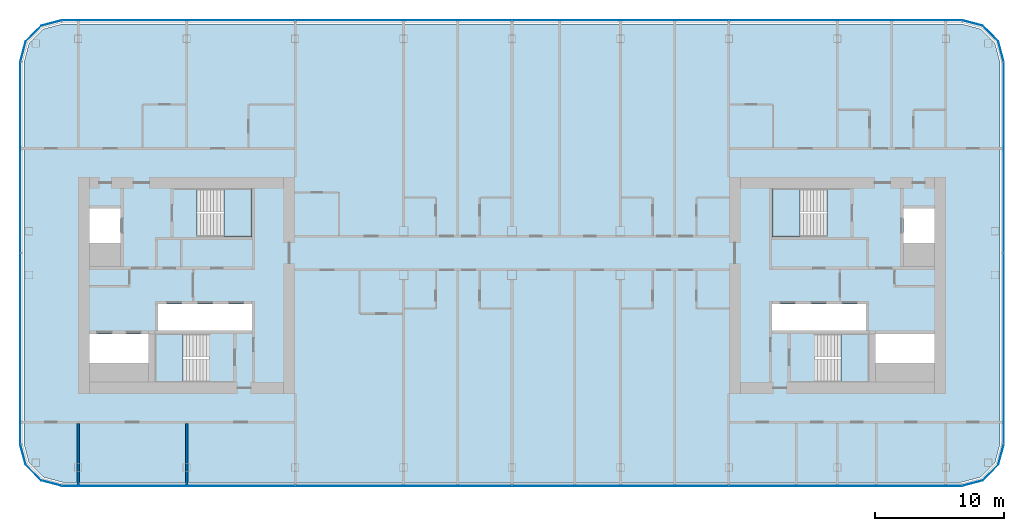
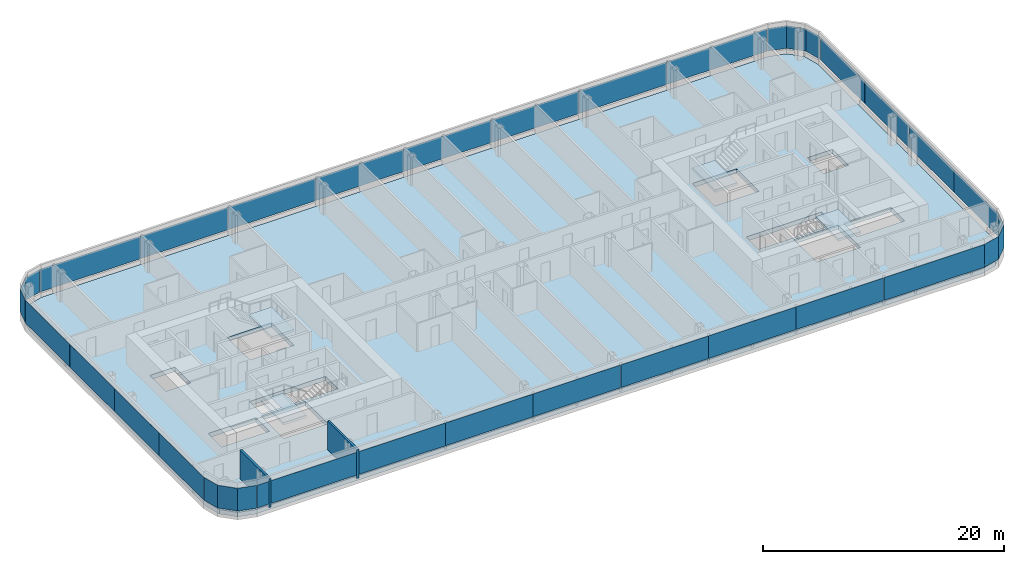
# One storey, part 12 of 26: 28 plates, 5 slabs, 2 walls, 12 elements without a shape of their own.
"""IFC4 building model written with IfcOpenShell, lengths in metres."""

import ifcopenshell
import ifcopenshell.guid

model = None  # the IFC model being written
_history = None  # IfcOwnerHistory: only IFC2X3 demands one
_inside = {}  # id of a spatial element -> (the spatial element, [elements in it])
_under = {}  # id of a project, library or spatial element -> (it, [spatial elements below it])
_declared = {}  # id of a project -> (the project, [libraries it declares])
_typed = {}  # id of a type object -> (the type object, [elements of that type])
_made_of = {}  # id of a material, layer set ... -> (it, [elements and type objects made of it])


def new_model(schema):
    """Start an empty IFC model of exactly this schema.

    Asked for "IFC4X3", IfcOpenShell would pick the latest addendum, in which some entities
    have other attributes; the version numbers below select the first issue.
    IFC2X3 requires an IfcOwnerHistory on every rooted entity: one is made here for all.
    """
    global model, _history
    if schema == "IFC4X3":
        model = ifcopenshell.file(schema_version=(4, 3, 0, 0))
    else:
        model = ifcopenshell.file(schema=schema)
    _inside.clear()
    _under.clear()
    _declared.clear()
    _typed.clear()
    _made_of.clear()
    _history = None
    if model.schema == "IFC2X3":
        org = make("IfcOrganization", Name="unknown")
        user = make(
            "IfcPersonAndOrganization",
            ThePerson=make("IfcPerson", FamilyName="unknown"),
            TheOrganization=org,
        )
        app = make(
            "IfcApplication",
            ApplicationDeveloper=org,
            Version="unknown",
            ApplicationFullName="unknown",
            ApplicationIdentifier="unknown",
        )
        _history = make(
            "IfcOwnerHistory",
            OwningUser=user,
            OwningApplication=app,
            ChangeAction="ADDED",
            CreationDate=0,
        )
    return model


def make(cls, **values):
    """One entity of the class cls with the attributes given. An attribute that is None is left unset."""
    return model.create_entity(
        cls, **{name: value for name, value in values.items() if value is not None}
    )


def rooted(cls, **values):
    """An entity with a GlobalId (a new one), such as an element, a storey or a relation."""
    return make(cls, GlobalId=ifcopenshell.guid.new(), OwnerHistory=_history, **values)


def si_unit(unit_type, name, prefix=None):
    """IfcSIUnit, for example si_unit("LENGTHUNIT", "METRE", prefix="MILLI")."""
    return make("IfcSIUnit", UnitType=unit_type, Prefix=prefix, Name=name)


def assignment(units):
    """IfcUnitAssignment: the units of a project."""
    return None if units is None else make("IfcUnitAssignment", Units=units)


def point(xyz):
    """IfcCartesianPoint."""
    return None if xyz is None else make("IfcCartesianPoint", Coordinates=xyz)


def direction(xyz):
    """IfcDirection."""
    return None if xyz is None else make("IfcDirection", DirectionRatios=xyz)


def frame(location, z_axis=None, x_axis=None):
    """IfcAxis2Placement3D, a coordinate frame: its origin and axes. An axis left out is left unset."""
    return make(
        "IfcAxis2Placement3D",
        Location=point(location),
        Axis=direction(z_axis),
        RefDirection=direction(x_axis),
    )


def frame_2d(location, x_axis=None):
    """IfcAxis2Placement2D, a coordinate frame in the plane: its origin and x axis."""
    return make(
        "IfcAxis2Placement2D", Location=point(location), RefDirection=direction(x_axis)
    )


def origin():
    """The frame at (0, 0, 0) with its axes left unset."""
    return frame((0.0, 0.0, 0.0))


def origin_2d():
    """The frame at (0, 0) in the plane with its x axis left unset."""
    return frame_2d((0.0, 0.0))


def place(relative_to, where):
    """IfcLocalPlacement: puts the frame where relative to a parent placement (None: the world)."""
    return make(
        "IfcLocalPlacement", PlacementRelTo=relative_to, RelativePlacement=where
    )


def context(
    kind, dimensions, precision=None, world=None, true_north=None, identifier=None
):
    """IfcGeometricRepresentationContext, for example the 3D "Model" context."""
    return make(
        "IfcGeometricRepresentationContext",
        ContextIdentifier=identifier,
        ContextType=kind,
        CoordinateSpaceDimension=dimensions,
        Precision=precision,
        WorldCoordinateSystem=world,
        TrueNorth=true_north,
    )


def subcontext(parent, identifier, kind, view, scale=None):
    """IfcGeometricRepresentationSubContext, for example "Body" below "Model"."""
    return make(
        "IfcGeometricRepresentationSubContext",
        ContextIdentifier=identifier,
        ContextType=kind,
        ParentContext=parent,
        TargetScale=scale,
        TargetView=view,
    )


def project(units=None, contexts=None):
    """IfcProject with its units and contexts."""
    return rooted(
        "IfcProject",
        Name="project",
        RepresentationContexts=contexts,
        UnitsInContext=assignment(units),
    )


def spatial(cls, under=None, at=None, **own):
    """A site, building, storey or space (cls), placed at a placement, below another one or the project."""
    s = rooted(cls, ObjectPlacement=at, **own)
    if under is not None:
        _under.setdefault(under.id(), (under, []))[1].append(s)
    return s


def polyline(points):
    """IfcPolyline through the points."""
    return make("IfcPolyline", Points=[point(p) for p in points])


def profile(cls, at=None, kind="AREA", **sizes):
    """A parametric profile (cls). Its sizes go by their IFC names, for example OverallWidth=200.0."""
    return make(cls, ProfileType=kind, Position=at, **sizes)


def rectangle(**sizes):
    """IfcRectangleProfileDef."""
    return profile("IfcRectangleProfileDef", **sizes)


def outline(outer, holes=None, kind="AREA"):
    """IfcArbitraryClosedProfileDef: a profile drawn as a closed curve; with holes, ...WithVoids."""
    if holes is None:
        return make("IfcArbitraryClosedProfileDef", ProfileType=kind, OuterCurve=outer)
    return make(
        "IfcArbitraryProfileDefWithVoids",
        ProfileType=kind,
        OuterCurve=outer,
        InnerCurves=holes,
    )


def extrude(swept, where, along, depth):
    """IfcExtrudedAreaSolid: the profile swept, set in the frame where, extruded along a direction by depth."""
    return make(
        "IfcExtrudedAreaSolid",
        SweptArea=swept,
        Position=where,
        ExtrudedDirection=direction(along),
        Depth=depth,
    )


def shape(context_of_items, identifier, shape_type, items):
    """IfcShapeRepresentation: the items that make up one representation, for example the "Body"."""
    return make(
        "IfcShapeRepresentation",
        ContextOfItems=context_of_items,
        RepresentationIdentifier=identifier,
        RepresentationType=shape_type,
        Items=items,
    )


def material(Name=None, Category=None):
    """IfcMaterial."""
    return make("IfcMaterial", Name=Name, Category=Category)


def layer(
    of_material, thickness, ventilated=None, Name=None, Category=None, Priority=None
):
    """IfcMaterialLayer: one layer of a wall or slab, of a material (None: an air gap)."""
    return make(
        "IfcMaterialLayer",
        Material=of_material,
        LayerThickness=thickness,
        IsVentilated=ventilated,
        Name=Name,
        Category=Category,
        Priority=Priority,
    )


def layer_set(layers, Name=None):
    """IfcMaterialLayerSet."""
    return make("IfcMaterialLayerSet", MaterialLayers=layers, LayerSetName=Name)


def made_of(thing, what):
    """Note that an element or type object is made of a material, layer set ...; save() writes the relation."""
    if what is not None:
        _made_of.setdefault(what.id(), (what, []))[1].append(thing)
    return thing


def type_object(cls, material=None, **own):
    """A type object (cls), such as IfcWallType, which elements share."""
    return made_of(rooted(cls, **own), material)


def element(
    cls,
    number,
    at=None,
    inside=None,
    cuts=None,
    type_object=None,
    material=None,
    context=None,
    identifier="Body",
    shape_type=None,
    held_by="IfcProductDefinitionShape",
    body=None,
    shapes=None,
    **own,
):
    """One element of the class cls, such as IfcWall. Its Tag is "e" and its number.

    at: its placement. inside: the storey or other place that contains it. cuts: it is an
    opening in that element (IfcRelVoidsElement). A single representation is given by context,
    identifier, shape_type and body (its items); several are given by shapes. held_by: the class
    of the entity that holds the representations. save() writes the other relations.
    """
    e = rooted(cls, Tag="e%d" % number, ObjectPlacement=at, **own)
    if body is not None:
        shapes = [shape(context, identifier, shape_type, body)]
    if shapes is not None:
        e.Representation = make(held_by, Representations=shapes)
    if inside is not None:
        _inside.setdefault(inside.id(), (inside, []))[1].append(e)
    if cuts is not None:
        rooted(
            "IfcRelVoidsElement", RelatingBuildingElement=cuts, RelatedOpeningElement=e
        )
    if type_object is not None:
        _typed.setdefault(type_object.id(), (type_object, []))[1].append(e)
    return made_of(e, material)


def aggregate(whole, parts):
    """IfcRelAggregates: a whole, such as a stair, and the parts it consists of."""
    return rooted("IfcRelAggregates", RelatingObject=whole, RelatedObjects=parts)


def save(model, path):
    """Write the relations noted so far, then the file.

    IfcRelAggregates (storeys below a building ...), IfcRelContainedInSpatialStructure (elements
    in a storey), IfcRelDefinesByType, IfcRelAssociatesMaterial and IfcRelDeclares: one each for
    every whole, place, type object, material and project.
    """
    for whole, parts in _under.values():
        aggregate(whole, parts)
    for where, things in _inside.values():
        rooted(
            "IfcRelContainedInSpatialStructure",
            RelatedElements=things,
            RelatingStructure=where,
        )
    for kind, things in _typed.values():
        rooted("IfcRelDefinesByType", RelatedObjects=things, RelatingType=kind)
    for what, things in _made_of.values():
        rooted("IfcRelAssociatesMaterial", RelatedObjects=things, RelatingMaterial=what)
    for by, libraries in _declared.values():
        rooted("IfcRelDeclares", RelatingContext=by, RelatedDefinitions=libraries)
    model.write(path)


model = new_model("IFC4")

# Units and contexts
model_context = context("Model", 3, precision=1e-05, world=origin(), true_north=direction((0.0, 1.0)))
body_context = subcontext(model_context, "Body", "Model", "MODEL_VIEW")
ifc_project = project(units=[si_unit("LENGTHUNIT", "METRE"), si_unit("AREAUNIT", "SQUARE_METRE"), si_unit("VOLUMEUNIT", "CUBIC_METRE"), si_unit("PLANEANGLEUNIT", "RADIAN"), si_unit("MASSUNIT", "GRAM", prefix="KILO")], contexts=[model_context])

# Site, building, storey
site_placement = place(None, origin())
site = spatial("IfcSite", under=ifc_project, at=site_placement, CompositionType="ELEMENT")
building_placement = place(site_placement, origin())
building = spatial("IfcBuilding", under=site, at=building_placement, Name="Hakoniwa Tower and Hamabe Station Hall", CompositionType="ELEMENT")
storey_placement = place(building_placement, frame((0.0, 0.0, 225.0)))
storey = spatial("IfcBuildingStorey", under=building, at=storey_placement, Name="L64", CompositionType="ELEMENT", Elevation=225.0)

# Stair, slab
ifc_material_1 = material(Name="Concrete C40", Category="concrete")
stair_type = type_object("IfcStairType", Name="ESCAPE STAIR 1800", PredefinedType="HALF_TURN_STAIR", material=ifc_material_1)
stair_1_placement = place(storey_placement, origin())
stair_1 = element("IfcStair", 1, at=stair_1_placement, inside=storey, type_object=stair_type, Name="Escape stair ST-1 L64", PredefinedType="HALF_TURN_STAIR")
ifc_material_2 = material(Name="Concrete C40", Category="concrete")
ifc_layer_1 = layer(ifc_material_2, 0.25)
ifc_layer_set_1 = layer_set([ifc_layer_1], Name="CORE STAIR LANDING 250")
slab_type_1 = type_object("IfcSlabType", Name="CORE STAIR LANDING 250", PredefinedType="LANDING", material=ifc_layer_set_1)
slab_1_placement = place(storey_placement, frame((0.0, 0.0, 1.35009765625)))
slab_1 = element("IfcSlab", 2, at=slab_1_placement, type_object=slab_type_1, Name="ST-1 landing 1", PredefinedType="LANDING", context=body_context, shape_type="SweptSolid", body=[
    extrude(outline(polyline([(-22.320068359375, 3.75), (-20.14990234375, 3.75), (-20.14990234375, 7.5), (-22.320068359375, 7.5), (-22.320068359375, 3.75)])), origin(), (0.0, 0.0, 1.0), 0.25),
])
aggregate(stair_1, [slab_1])

stair_2_placement = place(storey_placement, origin())
stair_2 = element("IfcStair", 3, at=stair_2_placement, inside=storey, type_object=stair_type, Name="Escape stair ST-2 L64", PredefinedType="HALF_TURN_STAIR")
slab_2_placement = place(storey_placement, frame((0.0, 0.0, 1.35009765625)))
slab_2 = element("IfcSlab", 4, at=slab_2_placement, type_object=slab_type_1, Name="ST-2 landing 1", PredefinedType="LANDING", context=body_context, shape_type="SweptSolid", body=[
    extrude(outline(polyline([(-25.47998046875, -7.5), (-27.64990234375, -7.5), (-27.64990234375, -3.75), (-25.47998046875, -3.75), (-25.47998046875, -7.5)])), origin(), (0.0, 0.0, 1.0), 0.25),
])
aggregate(stair_2, [slab_2])

stair_3_placement = place(storey_placement, origin())
stair_3 = element("IfcStair", 5, at=stair_3_placement, inside=storey, type_object=stair_type, Name="Escape stair ST-3 L64", PredefinedType="HALF_TURN_STAIR")
slab_3_placement = place(storey_placement, frame((0.0, 0.0, 1.35009765625)))
slab_3 = element("IfcSlab", 6, at=slab_3_placement, type_object=slab_type_1, Name="ST-3 landing 1", PredefinedType="LANDING", context=body_context, shape_type="SweptSolid", body=[
    extrude(outline(polyline([(22.320068359375, 3.75), (20.14990234375, 3.75), (20.14990234375, 7.5), (22.320068359375, 7.5), (22.320068359375, 3.75)])), origin(), (0.0, 0.0, 1.0), 0.25),
])
aggregate(stair_3, [slab_3])

stair_4_placement = place(storey_placement, origin())
stair_4 = element("IfcStair", 7, at=stair_4_placement, inside=storey, type_object=stair_type, Name="Escape stair ST-4 L64", PredefinedType="HALF_TURN_STAIR")
slab_4_placement = place(storey_placement, frame((0.0, 0.0, 1.35009765625)))
slab_4 = element("IfcSlab", 8, at=slab_4_placement, type_object=slab_type_1, Name="ST-4 landing 1", PredefinedType="LANDING", context=body_context, shape_type="SweptSolid", body=[
    extrude(outline(polyline([(25.47998046875, -7.5), (27.64990234375, -7.5), (27.64990234375, -3.75), (25.47998046875, -3.75), (25.47998046875, -7.5)])), origin(), (0.0, 0.0, 1.0), 0.25),
])
aggregate(stair_4, [slab_4])

# Curtain wall, plates
ifc_material_3 = material(Name="Dark low-e laminated glass", Category="glass")
ifc_layer_2 = layer(ifc_material_3, 0.199951171875)
ifc_layer_set_2 = layer_set([ifc_layer_2], Name="CW-1 UNITISED GUEST")
curtain_wall_type = type_object("IfcCurtainWallType", Name="CW-1 UNITISED GUEST", PredefinedType="NOTDEFINED", material=ifc_layer_set_2)
curtain_wall_1_placement = place(storey_placement, origin())
curtain_wall_1 = element("IfcCurtainWall", 9, at=curtain_wall_1_placement, inside=storey, type_object=curtain_wall_type, Name="CW-1 curtain wall", PredefinedType="NOTDEFINED")
ifc_material_4 = material(Name="Dark low-e laminated glass", Category="glass")
ifc_layer_3 = layer(ifc_material_4, 0.028076171875)
ifc_layer_set_3 = layer_set([ifc_layer_3], Name="CW-1 GLASS UNIT")
plate_type = type_object("IfcPlateType", Name="CW-1 GLASS UNIT", PredefinedType="CURTAIN_PANEL", material=ifc_layer_set_3)
plate_1_placement = place(storey_placement, frame((38.0859375, -8.592041015625, 0.35009765625), z_axis=(0.0, 0.0, 1.0), x_axis=(0.0, 1.0, 0.0)))
plate_1 = element("IfcPlate", 10, at=plate_1_placement, type_object=plate_type, Name="CW-1 glass unit", PredefinedType="CURTAIN_PANEL", context=body_context, shape_type="SweptSolid", body=[
    extrude(rectangle(XDim=7.374755859375, YDim=0.028076171875, at=origin_2d()), origin(), (0.0, 0.0, 1.0), 2.300048828125),
])
plate_2_placement = place(storey_placement, frame((38.0859375, -1.197265625, 0.35009765625), z_axis=(0.0, 0.0, 1.0), x_axis=(0.0, 1.0, 0.0)))
plate_2 = element("IfcPlate", 11, at=plate_2_placement, type_object=plate_type, Name="CW-1 glass unit", PredefinedType="CURTAIN_PANEL", context=body_context, shape_type="SweptSolid", body=[
    extrude(rectangle(XDim=7.374755859375, YDim=0.028076171875, at=origin_2d()), origin(), (0.0, 0.0, 1.0), 2.300048828125),
])
plate_3_placement = place(storey_placement, frame((38.0859375, 6.197265625, 0.35009765625), z_axis=(0.0, 0.0, 1.0), x_axis=(0.0, 1.0, 0.0)))
plate_3 = element("IfcPlate", 12, at=plate_3_placement, type_object=plate_type, Name="CW-1 glass unit", PredefinedType="CURTAIN_PANEL", context=body_context, shape_type="SweptSolid", body=[
    extrude(rectangle(XDim=7.374755859375, YDim=0.028076171875, at=origin_2d()), origin(), (0.0, 0.0, 1.0), 2.300048828125),
])
plate_4_placement = place(storey_placement, frame((38.0859375, 13.592041015625, 0.35009765625), z_axis=(0.0, 0.0, 1.0), x_axis=(0.0, 1.0, 0.0)))
plate_4 = element("IfcPlate", 13, at=plate_4_placement, type_object=plate_type, Name="CW-1 glass unit", PredefinedType="CURTAIN_PANEL", context=body_context, shape_type="SweptSolid", body=[
    extrude(rectangle(XDim=7.374755859375, YDim=0.028076171875, at=origin_2d()), origin(), (0.0, 0.0, 1.0), 2.300048828125),
])
aggregate(curtain_wall_1, [plate_1, plate_2, plate_3, plate_4])

# Curtain wall, plate
curtain_wall_2_placement = place(storey_placement, origin())
curtain_wall_2 = element("IfcCurtainWall", 14, at=curtain_wall_2_placement, inside=storey, type_object=curtain_wall_type, Name="CW-1 curtain wall", PredefinedType="NOTDEFINED")
plate_5_placement = place(storey_placement, frame((0.0, 0.0, 0.35009765625)))
plate_5 = element("IfcPlate", 15, at=plate_5_placement, type_object=plate_type, Name="CW-1 curved corner unit", PredefinedType="CURTAIN_PANEL", context=body_context, shape_type="SweptSolid", body=[
    extrude(outline(polyline([(38.089599609375, 17.328125), (37.6669921875, 18.9052734375), (36.455322265625, 20.116943359375), (34.878173828125, 20.53955078125), (34.870849609375, 20.5126953125), (36.44091796875, 20.092041015625), (37.641845703125, 18.890869140625), (38.0625, 17.32080078125), (38.089599609375, 17.328125)])), origin(), (0.0, 0.0, 1.0), 2.2998046875),
])
aggregate(curtain_wall_2, [plate_5])

# Curtain wall, plates
curtain_wall_3_placement = place(storey_placement, origin())
curtain_wall_3 = element("IfcCurtainWall", 16, at=curtain_wall_3_placement, inside=storey, type_object=curtain_wall_type, Name="CW-1 curtain wall", PredefinedType="NOTDEFINED")
plate_6_placement = place(storey_placement, frame((30.019775390625, 20.535888671875, 0.35009765625), z_axis=(0.0, 0.0, 1.0), x_axis=(-1.0, 0.0, 0.0)))
plate_6 = element("IfcPlate", 17, at=plate_6_placement, type_object=plate_type, Name="CW-1 glass unit", PredefinedType="CURTAIN_PANEL", context=body_context, shape_type="SweptSolid", body=[
    extrude(rectangle(XDim=9.619384765625, YDim=0.028076171875, at=origin_2d()), origin(), (0.0, 0.0, 1.0), 2.300048828125),
])
plate_7_placement = place(storey_placement, frame((21.0, 20.535888671875, 0.35009765625), z_axis=(0.0, 0.0, 1.0), x_axis=(-1.0, 0.0, 0.0)))
plate_7 = element("IfcPlate", 18, at=plate_7_placement, type_object=plate_type, Name="CW-1 glass unit", PredefinedType="CURTAIN_PANEL", context=body_context, shape_type="SweptSolid", body=[
    extrude(rectangle(XDim=8.3798828125, YDim=0.028076171875, at=origin_2d()), origin(), (0.0, 0.0, 1.0), 2.300048828125),
])
plate_8_placement = place(storey_placement, frame((12.60009765625, 20.535888671875, 0.35009765625), z_axis=(0.0, 0.0, 1.0), x_axis=(-1.0, 0.0, 0.0)))
plate_8 = element("IfcPlate", 19, at=plate_8_placement, type_object=plate_type, Name="CW-1 glass unit", PredefinedType="CURTAIN_PANEL", context=body_context, shape_type="SweptSolid", body=[
    extrude(rectangle(XDim=8.3798828125, YDim=0.028076171875, at=origin_2d()), origin(), (0.0, 0.0, 1.0), 2.300048828125),
])
plate_9_placement = place(storey_placement, frame((4.199951171875, 20.535888671875, 0.35009765625), z_axis=(0.0, 0.0, 1.0), x_axis=(-1.0, 0.0, 0.0)))
plate_9 = element("IfcPlate", 20, at=plate_9_placement, type_object=plate_type, Name="CW-1 glass unit", PredefinedType="CURTAIN_PANEL", context=body_context, shape_type="SweptSolid", body=[
    extrude(rectangle(XDim=8.3798828125, YDim=0.028076171875, at=origin_2d()), origin(), (0.0, 0.0, 1.0), 2.300048828125),
])
plate_10_placement = place(storey_placement, frame((-4.199951171875, 20.535888671875, 0.35009765625), z_axis=(0.0, 0.0, 1.0), x_axis=(-1.0, 0.0, 0.0)))
plate_10 = element("IfcPlate", 21, at=plate_10_placement, type_object=plate_type, Name="CW-1 glass unit", PredefinedType="CURTAIN_PANEL", context=body_context, shape_type="SweptSolid", body=[
    extrude(rectangle(XDim=8.3798828125, YDim=0.028076171875, at=origin_2d()), origin(), (0.0, 0.0, 1.0), 2.300048828125),
])
plate_11_placement = place(storey_placement, frame((-12.60009765625, 20.535888671875, 0.35009765625), z_axis=(0.0, 0.0, 1.0), x_axis=(-1.0, 0.0, 0.0)))
plate_11 = element("IfcPlate", 22, at=plate_11_placement, type_object=plate_type, Name="CW-1 glass unit", PredefinedType="CURTAIN_PANEL", context=body_context, shape_type="SweptSolid", body=[
    extrude(rectangle(XDim=8.3798828125, YDim=0.028076171875, at=origin_2d()), origin(), (0.0, 0.0, 1.0), 2.300048828125),
])
plate_12_placement = place(storey_placement, frame((-21.0, 20.535888671875, 0.35009765625), z_axis=(0.0, 0.0, 1.0), x_axis=(-1.0, 0.0, 0.0)))
plate_12 = element("IfcPlate", 23, at=plate_12_placement, type_object=plate_type, Name="CW-1 glass unit", PredefinedType="CURTAIN_PANEL", context=body_context, shape_type="SweptSolid", body=[
    extrude(rectangle(XDim=8.3798828125, YDim=0.028076171875, at=origin_2d()), origin(), (0.0, 0.0, 1.0), 2.300048828125),
])
plate_13_placement = place(storey_placement, frame((-30.019775390625, 20.535888671875, 0.35009765625), z_axis=(0.0, 0.0, 1.0), x_axis=(-1.0, 0.0, 0.0)))
plate_13 = element("IfcPlate", 24, at=plate_13_placement, type_object=plate_type, Name="CW-1 glass unit", PredefinedType="CURTAIN_PANEL", context=body_context, shape_type="SweptSolid", body=[
    extrude(rectangle(XDim=9.619384765625, YDim=0.028076171875, at=origin_2d()), origin(), (0.0, 0.0, 1.0), 2.300048828125),
])
aggregate(curtain_wall_3, [plate_6, plate_7, plate_8, plate_9, plate_10, plate_11, plate_12, plate_13])

# Curtain wall, plate
curtain_wall_4_placement = place(storey_placement, origin())
curtain_wall_4 = element("IfcCurtainWall", 25, at=curtain_wall_4_placement, inside=storey, type_object=curtain_wall_type, Name="CW-1 curtain wall", PredefinedType="NOTDEFINED")
plate_14_placement = place(storey_placement, frame((0.0, 0.0, 0.35009765625)))
plate_14 = element("IfcPlate", 26, at=plate_14_placement, type_object=plate_type, Name="CW-1 curved corner unit", PredefinedType="CURTAIN_PANEL", context=body_context, shape_type="SweptSolid", body=[
    extrude(outline(polyline([(-34.878173828125, 20.53955078125), (-36.455322265625, 20.116943359375), (-37.6669921875, 18.9052734375), (-38.089599609375, 17.328125), (-38.0625, 17.32080078125), (-37.641845703125, 18.890869140625), (-36.44091796875, 20.092041015625), (-34.870849609375, 20.5126953125), (-34.878173828125, 20.53955078125)])), origin(), (0.0, 0.0, 1.0), 2.2998046875),
])
aggregate(curtain_wall_4, [plate_14])

# Curtain wall, plates
curtain_wall_5_placement = place(storey_placement, origin())
curtain_wall_5 = element("IfcCurtainWall", 27, at=curtain_wall_5_placement, inside=storey, type_object=curtain_wall_type, Name="CW-1 curtain wall", PredefinedType="NOTDEFINED")
plate_15_placement = place(storey_placement, frame((-38.0859375, 13.592041015625, 0.35009765625), z_axis=(0.0, 0.0, 1.0), x_axis=(0.0, -1.0, 0.0)))
plate_15 = element("IfcPlate", 28, at=plate_15_placement, type_object=plate_type, Name="CW-1 glass unit", PredefinedType="CURTAIN_PANEL", context=body_context, shape_type="SweptSolid", body=[
    extrude(rectangle(XDim=7.374755859375, YDim=0.028076171875, at=origin_2d()), origin(), (0.0, 0.0, 1.0), 2.300048828125),
])
plate_16_placement = place(storey_placement, frame((-38.0859375, 6.197265625, 0.35009765625), z_axis=(0.0, 0.0, 1.0), x_axis=(0.0, -1.0, 0.0)))
plate_16 = element("IfcPlate", 29, at=plate_16_placement, type_object=plate_type, Name="CW-1 glass unit", PredefinedType="CURTAIN_PANEL", context=body_context, shape_type="SweptSolid", body=[
    extrude(rectangle(XDim=7.374755859375, YDim=0.028076171875, at=origin_2d()), origin(), (0.0, 0.0, 1.0), 2.300048828125),
])
plate_17_placement = place(storey_placement, frame((-38.0859375, -1.197265625, 0.35009765625), z_axis=(0.0, 0.0, 1.0), x_axis=(0.0, -1.0, 0.0)))
plate_17 = element("IfcPlate", 30, at=plate_17_placement, type_object=plate_type, Name="CW-1 glass unit", PredefinedType="CURTAIN_PANEL", context=body_context, shape_type="SweptSolid", body=[
    extrude(rectangle(XDim=7.374755859375, YDim=0.028076171875, at=origin_2d()), origin(), (0.0, 0.0, 1.0), 2.300048828125),
])
plate_18_placement = place(storey_placement, frame((-38.0859375, -8.592041015625, 0.35009765625), z_axis=(0.0, 0.0, 1.0), x_axis=(0.0, -1.0, 0.0)))
plate_18 = element("IfcPlate", 31, at=plate_18_placement, type_object=plate_type, Name="CW-1 glass unit", PredefinedType="CURTAIN_PANEL", context=body_context, shape_type="SweptSolid", body=[
    extrude(rectangle(XDim=7.374755859375, YDim=0.028076171875, at=origin_2d()), origin(), (0.0, 0.0, 1.0), 2.300048828125),
])
aggregate(curtain_wall_5, [plate_15, plate_16, plate_17, plate_18])

# Curtain wall, plate
curtain_wall_6_placement = place(storey_placement, origin())
curtain_wall_6 = element("IfcCurtainWall", 32, at=curtain_wall_6_placement, inside=storey, type_object=curtain_wall_type, Name="CW-1 curtain wall", PredefinedType="NOTDEFINED")
plate_19_placement = place(storey_placement, frame((0.0, 0.0, 0.35009765625)))
plate_19 = element("IfcPlate", 33, at=plate_19_placement, type_object=plate_type, Name="CW-1 curved corner unit", PredefinedType="CURTAIN_PANEL", context=body_context, shape_type="SweptSolid", body=[
    extrude(outline(polyline([(-38.089599609375, -12.328125), (-37.6669921875, -13.9052734375), (-36.455322265625, -15.116943359375), (-34.878173828125, -15.53955078125), (-34.870849609375, -15.5126953125), (-36.44091796875, -15.092041015625), (-37.641845703125, -13.890869140625), (-38.0625, -12.32080078125), (-38.089599609375, -12.328125)])), origin(), (0.0, 0.0, 1.0), 2.2998046875),
])
aggregate(curtain_wall_6, [plate_19])

# Curtain wall, plates
curtain_wall_7_placement = place(storey_placement, origin())
curtain_wall_7 = element("IfcCurtainWall", 34, at=curtain_wall_7_placement, inside=storey, type_object=curtain_wall_type, Name="CW-1 curtain wall", PredefinedType="NOTDEFINED")
plate_20_placement = place(storey_placement, frame((-30.019775390625, -15.535888671875, 0.35009765625), z_axis=(0.0, 0.0, 1.0), x_axis=(1.0, 0.0, 0.0)))
plate_20 = element("IfcPlate", 35, at=plate_20_placement, type_object=plate_type, Name="CW-1 glass unit", PredefinedType="CURTAIN_PANEL", context=body_context, shape_type="SweptSolid", body=[
    extrude(rectangle(XDim=9.619384765625, YDim=0.028076171875, at=origin_2d()), origin(), (0.0, 0.0, 1.0), 2.300048828125),
])
plate_21_placement = place(storey_placement, frame((-21.0, -15.535888671875, 0.35009765625), z_axis=(0.0, 0.0, 1.0), x_axis=(1.0, 0.0, 0.0)))
plate_21 = element("IfcPlate", 36, at=plate_21_placement, type_object=plate_type, Name="CW-1 glass unit", PredefinedType="CURTAIN_PANEL", context=body_context, shape_type="SweptSolid", body=[
    extrude(rectangle(XDim=8.3798828125, YDim=0.028076171875, at=origin_2d()), origin(), (0.0, 0.0, 1.0), 2.300048828125),
])
plate_22_placement = place(storey_placement, frame((-12.60009765625, -15.535888671875, 0.35009765625), z_axis=(0.0, 0.0, 1.0), x_axis=(1.0, 0.0, 0.0)))
plate_22 = element("IfcPlate", 37, at=plate_22_placement, type_object=plate_type, Name="CW-1 glass unit", PredefinedType="CURTAIN_PANEL", context=body_context, shape_type="SweptSolid", body=[
    extrude(rectangle(XDim=8.3798828125, YDim=0.028076171875, at=origin_2d()), origin(), (0.0, 0.0, 1.0), 2.300048828125),
])
plate_23_placement = place(storey_placement, frame((-4.199951171875, -15.535888671875, 0.35009765625), z_axis=(0.0, 0.0, 1.0), x_axis=(1.0, 0.0, 0.0)))
plate_23 = element("IfcPlate", 38, at=plate_23_placement, type_object=plate_type, Name="CW-1 glass unit", PredefinedType="CURTAIN_PANEL", context=body_context, shape_type="SweptSolid", body=[
    extrude(rectangle(XDim=8.3798828125, YDim=0.028076171875, at=origin_2d()), origin(), (0.0, 0.0, 1.0), 2.300048828125),
])
plate_24_placement = place(storey_placement, frame((4.199951171875, -15.535888671875, 0.35009765625), z_axis=(0.0, 0.0, 1.0), x_axis=(1.0, 0.0, 0.0)))
plate_24 = element("IfcPlate", 39, at=plate_24_placement, type_object=plate_type, Name="CW-1 glass unit", PredefinedType="CURTAIN_PANEL", context=body_context, shape_type="SweptSolid", body=[
    extrude(rectangle(XDim=8.3798828125, YDim=0.028076171875, at=origin_2d()), origin(), (0.0, 0.0, 1.0), 2.300048828125),
])
plate_25_placement = place(storey_placement, frame((12.60009765625, -15.535888671875, 0.35009765625), z_axis=(0.0, 0.0, 1.0), x_axis=(1.0, 0.0, 0.0)))
plate_25 = element("IfcPlate", 40, at=plate_25_placement, type_object=plate_type, Name="CW-1 glass unit", PredefinedType="CURTAIN_PANEL", context=body_context, shape_type="SweptSolid", body=[
    extrude(rectangle(XDim=8.3798828125, YDim=0.028076171875, at=origin_2d()), origin(), (0.0, 0.0, 1.0), 2.300048828125),
])
plate_26_placement = place(storey_placement, frame((21.0, -15.535888671875, 0.35009765625), z_axis=(0.0, 0.0, 1.0), x_axis=(1.0, 0.0, 0.0)))
plate_26 = element("IfcPlate", 41, at=plate_26_placement, type_object=plate_type, Name="CW-1 glass unit", PredefinedType="CURTAIN_PANEL", context=body_context, shape_type="SweptSolid", body=[
    extrude(rectangle(XDim=8.3798828125, YDim=0.028076171875, at=origin_2d()), origin(), (0.0, 0.0, 1.0), 2.300048828125),
])
plate_27_placement = place(storey_placement, frame((30.019775390625, -15.535888671875, 0.35009765625), z_axis=(0.0, 0.0, 1.0), x_axis=(1.0, 0.0, 0.0)))
plate_27 = element("IfcPlate", 42, at=plate_27_placement, type_object=plate_type, Name="CW-1 glass unit", PredefinedType="CURTAIN_PANEL", context=body_context, shape_type="SweptSolid", body=[
    extrude(rectangle(XDim=9.619384765625, YDim=0.028076171875, at=origin_2d()), origin(), (0.0, 0.0, 1.0), 2.300048828125),
])
aggregate(curtain_wall_7, [plate_20, plate_21, plate_22, plate_23, plate_24, plate_25, plate_26, plate_27])

# Curtain wall, plate
curtain_wall_8_placement = place(storey_placement, origin())
curtain_wall_8 = element("IfcCurtainWall", 43, at=curtain_wall_8_placement, inside=storey, type_object=curtain_wall_type, Name="CW-1 curtain wall", PredefinedType="NOTDEFINED")
plate_28_placement = place(storey_placement, frame((0.0, 0.0, 0.35009765625)))
plate_28 = element("IfcPlate", 44, at=plate_28_placement, type_object=plate_type, Name="CW-1 curved corner unit", PredefinedType="CURTAIN_PANEL", context=body_context, shape_type="SweptSolid", body=[
    extrude(outline(polyline([(34.878173828125, -15.53955078125), (36.455322265625, -15.116943359375), (37.6669921875, -13.9052734375), (38.089599609375, -12.328125), (38.0625, -12.32080078125), (37.641845703125, -13.890869140625), (36.44091796875, -15.092041015625), (34.870849609375, -15.5126953125), (34.878173828125, -15.53955078125)])), origin(), (0.0, 0.0, 1.0), 2.2998046875),
])
aggregate(curtain_wall_8, [plate_28])

# Slab
ifc_material_5 = material(Name="Concrete C42", Category="concrete")
ifc_layer_4 = layer(ifc_material_5, 0.449951171875)
ifc_layer_set_4 = layer_set([ifc_layer_4], Name="PT FLAT PLATE 450")
slab_type_2 = type_object("IfcSlabType", Name="PT FLAT PLATE 450", PredefinedType="FLOOR", material=ifc_layer_set_4)
slab_5_placement = place(storey_placement, frame((0.0, 0.0, -0.449951171875)))
element("IfcSlab", 45, at=slab_5_placement, inside=storey, type_object=slab_type_2, Name="Floor slab L64", PredefinedType="FLOOR", context=body_context, shape_type="SweptSolid", body=[
    extrude(outline(polyline([(37.800048828125, -12.25), (37.800048828125, 17.25), (37.398193359375, 18.75), (36.300048828125, 19.84814453125), (34.800048828125, 20.25), (-34.800048828125, 20.25), (-36.300048828125, 19.84814453125), (-37.398193359375, 18.75), (-37.800048828125, 17.25), (-37.800048828125, -12.25), (-37.398193359375, -13.75), (-36.300048828125, -14.84814453125), (-34.800048828125, -15.25), (34.800048828125, -15.25), (36.300048828125, -14.84814453125), (37.398193359375, -13.75), (37.800048828125, -12.25)]), holes=[polyline([(-27.39990234375, -3.5), (-27.39990234375, -1.449951171875), (-20.14990234375, -1.449951171875), (-20.14990234375, -3.5), (-27.39990234375, -3.5)]), polyline([(-32.699951171875, 3.300048828125), (-32.699951171875, 5.949951171875), (-30.300048828125, 5.949951171875), (-30.300048828125, 3.300048828125), (-32.699951171875, 3.300048828125)]), polyline([(-32.699951171875, -6.0), (-32.699951171875, -3.75), (-28.14990234375, -3.75), (-28.14990234375, -6.0), (-32.699951171875, -6.0)]), polyline([(-24.389892578125, 3.75), (-24.389892578125, 7.5), (-20.14990234375, 7.5), (-20.14990234375, 3.75), (-24.389892578125, 3.75)]), polyline([(-27.64990234375, -7.5), (-27.64990234375, -3.75), (-23.409912109375, -3.75), (-23.409912109375, -7.5), (-27.64990234375, -7.5)]), polyline([(20.14990234375, -3.5), (20.14990234375, -1.449951171875), (27.39990234375, -1.449951171875), (27.39990234375, -3.5), (20.14990234375, -3.5)]), polyline([(30.300048828125, 3.300048828125), (30.300048828125, 5.949951171875), (32.699951171875, 5.949951171875), (32.699951171875, 3.300048828125), (30.300048828125, 3.300048828125)]), polyline([(28.14990234375, -6.0), (28.14990234375, -3.75), (32.699951171875, -3.75), (32.699951171875, -6.0), (28.14990234375, -6.0)]), polyline([(20.14990234375, 3.75), (20.14990234375, 7.5), (24.389892578125, 7.5), (24.389892578125, 3.75), (20.14990234375, 3.75)]), polyline([(23.409912109375, -7.5), (23.409912109375, -3.75), (27.64990234375, -3.75), (27.64990234375, -7.5), (23.409912109375, -7.5)])]), origin(), (0.0, 0.0, 1.0), 0.449951171875),
])

# Walls
ifc_material_6 = material(Name="Fire-rated gypsum board partition", Category="gypsum")
ifc_layer_5 = layer(ifc_material_6, 0.199951171875)
ifc_layer_set_5 = layer_set([ifc_layer_5], Name="Party Wall 200")
wall_type = type_object("IfcWallType", Name="Party Wall 200", PredefinedType="PARTITIONING", material=ifc_layer_set_5)
for number, where, z_axis, x_axis, name in (
    (46, (-33.60009765625, -15.550048828125, 0.0), (0.0, 0.0, 1.0), (0.0, 1.0, 0.0), "GW-L64-022"),
    (47, (-25.199951171875, -15.550048828125, 0.0), (0.0, 0.0, 1.0), (0.0, 1.0, 0.0), "GW-L64-025"),
):
    element("IfcWall", number, at=place(storey_placement, frame(where, z_axis=z_axis, x_axis=x_axis)), inside=storey, type_object=wall_type, Name=name, PredefinedType="PARTITIONING", context=body_context, shape_type="SweptSolid", body=[
        extrude(rectangle(XDim=4.85009765625, YDim=0.199951171875, at=frame_2d((2.425048828125, 0.0))), origin(), (0.0, 0.0, 1.0), 2.89990234375),
    ])

save(model, "model.ifc")
